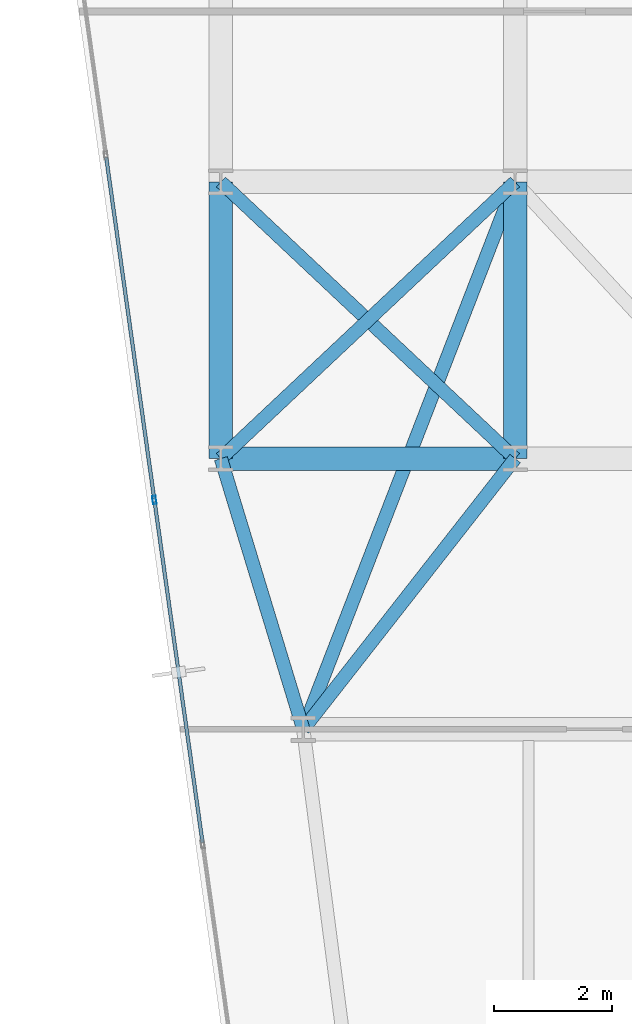
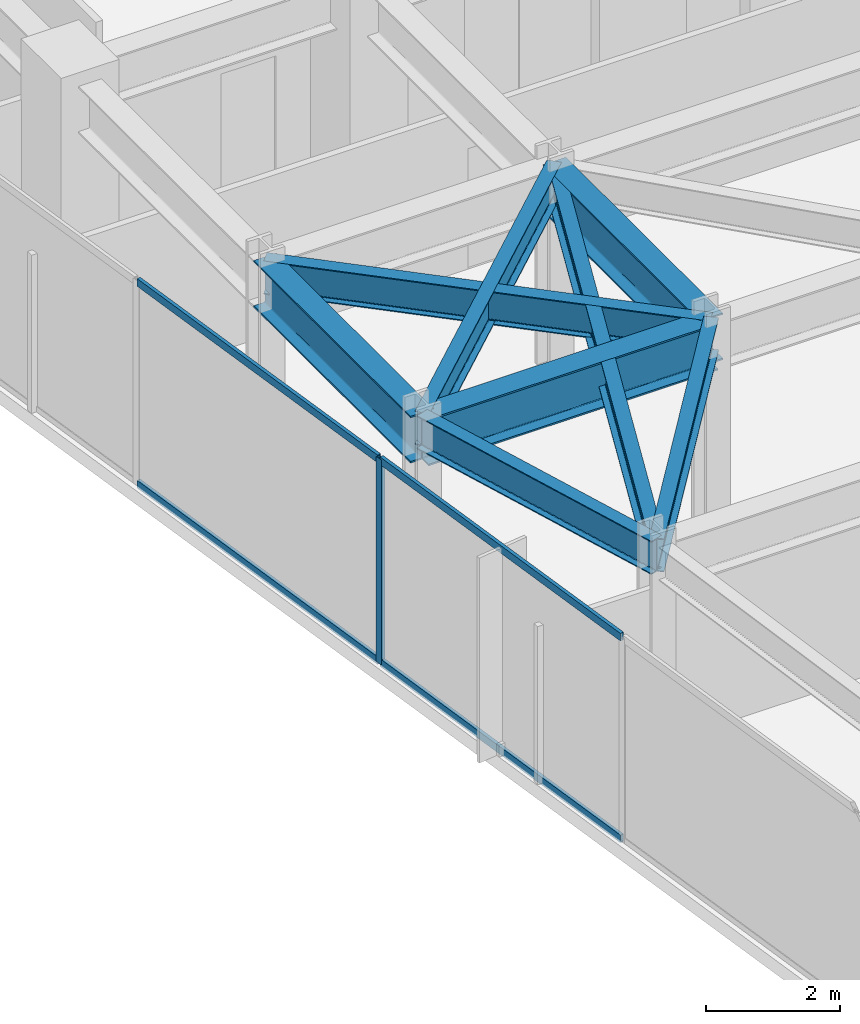
# One storey, part 9 of 26: 8 beams, 5 members, 1 element without a shape of its own.
"""IFC4 building model written with IfcOpenShell, lengths in metres."""

from ifc_helpers import new_model, si_unit, direction, frame, origin, origin_2d, place, context, subcontext, project, spatial, hollow_rectangle, i_section, extrude, material, layer, layer_set, material_profile, profile_set, type_object, element, aggregate, save


model = new_model("IFC4")

# Units and contexts
model_context = context("Model", 3, precision=1e-05, world=origin(), true_north=direction((0.0, 1.0)))
body_context = subcontext(model_context, "Body", "Model", "MODEL_VIEW")
ifc_project = project(units=[si_unit("LENGTHUNIT", "METRE"), si_unit("AREAUNIT", "SQUARE_METRE"), si_unit("VOLUMEUNIT", "CUBIC_METRE"), si_unit("PLANEANGLEUNIT", "RADIAN"), si_unit("MASSUNIT", "GRAM", prefix="KILO")], contexts=[model_context])

# Site, building, storey
site_placement = place(None, origin())
site = spatial("IfcSite", under=ifc_project, at=site_placement, CompositionType="ELEMENT")
building_placement = place(site_placement, origin())
building = spatial("IfcBuilding", under=site, at=building_placement, Name="Kravanh Interchange Tower", CompositionType="ELEMENT")
storey_placement = place(building_placement, frame((0.0, 0.0, 148.0)))
storey = spatial("IfcBuildingStorey", under=building, at=storey_placement, Name="L35", CompositionType="ELEMENT", Elevation=148.0)

# Curtain wall, members
ifc_material_1 = material(Name="Anodised Bronze Aluminium", Category="aluminium")
ifc_layer = layer(ifc_material_1, 0.179931640625)
ifc_layer_set = layer_set([ifc_layer], Name="Unitised Curtain Wall System CW-Z2 Mid Office")
curtain_wall_type = type_object("IfcCurtainWallType", Name="Unitised Curtain Wall System CW-Z2 Mid Office", PredefinedType="NOTDEFINED", material=ifc_layer_set)
curtain_wall_placement = place(storey_placement, origin())
curtain_wall = element("IfcCurtainWall", 1, at=curtain_wall_placement, inside=storey, type_object=curtain_wall_type, Name="L35 Unitised Curtain Wall CW-L35-01", PredefinedType="NOTDEFINED")
ifc_material_2 = material(Name="Anodised Bronze Aluminium", Category="aluminium")
ifc_material_profile_1 = material_profile(ifc_material_2, hollow_rectangle(XDim=0.06005859375, YDim=0.139892578125, WallThickness=0.00390625, at=origin_2d()), Name="ALU60X140X4")
ifc_profile_set_1 = profile_set([ifc_material_profile_1], Name="Anodised Bronze Aluminium")
member_type_1 = type_object("IfcMemberType", Name="Curtain Wall Mullion ALU60X140X4 Bronze", PredefinedType="MULLION", material=ifc_profile_set_1)
member_1_placement = place(storey_placement, frame((12.469970703125, 26.095458984375, 0.0), z_axis=(0.0, 0.0, 1.0), x_axis=(-0.990268103846, -0.13917285118, 0.0)))
member_1 = element("IfcMember", 2, at=member_1_placement, type_object=member_type_1, Name="CW-Z2 mullion 4", PredefinedType="MULLION", context=body_context, shape_type="SweptSolid", body=[
    extrude(hollow_rectangle(XDim=0.06005859375, YDim=0.139892578125, WallThickness=0.00390625, at=origin_2d()), origin(), (0.0, 0.0, 1.0), 3.75),
])
ifc_material_3 = material(Name="Anodised Bronze Aluminium", Category="aluminium")
ifc_material_profile_2 = material_profile(ifc_material_3, hollow_rectangle(XDim=0.06005859375, YDim=0.139892578125, WallThickness=0.00390625, at=origin_2d()), Name="ALU60X140X4")
ifc_profile_set_2 = profile_set([ifc_material_profile_2], Name="Anodised Bronze Aluminium")
member_type_2 = type_object("IfcMemberType", Name="Curtain Wall Transom ALU60X140X4 Bronze", PredefinedType="USERDEFINED", material=ifc_profile_set_2)
member_2_placement = place(storey_placement, frame((13.288330078125, 20.27294921875, 0.030029296875), z_axis=(-0.13918896503, 0.990265839062, 0.0), x_axis=(-0.990265839062, -0.13918896503, 0.0)))
member_2 = element("IfcMember", 3, at=member_2_placement, type_object=member_type_2, Name="CW-Z2 transom 3.1", ObjectType="TRANSOM", PredefinedType="USERDEFINED", context=body_context, shape_type="SweptSolid", body=[
    extrude(hollow_rectangle(XDim=0.06005859375, YDim=0.139892578125, WallThickness=0.00390625, at=origin_2d()), origin(), (0.0, 0.0, 1.0), 5.849609375),
])
member_3_placement = place(storey_placement, frame((13.288330078125, 20.27294921875, 3.719970703125), z_axis=(-0.13918896503, 0.990265839062, 0.0), x_axis=(-0.990265839062, -0.13918896503, 0.0)))
member_3 = element("IfcMember", 4, at=member_3_placement, type_object=member_type_2, Name="CW-Z2 transom 3.2", ObjectType="TRANSOM", PredefinedType="USERDEFINED", context=body_context, shape_type="SweptSolid", body=[
    extrude(hollow_rectangle(XDim=0.06005859375, YDim=0.139892578125, WallThickness=0.00390625, at=origin_2d()), origin(), (0.0, 0.0, 1.0), 5.849609375),
])
member_4_placement = place(storey_placement, frame((12.4658203125, 26.125244140625, 0.030029296875), z_axis=(-0.13918896503, 0.990265839062, 0.0), x_axis=(-0.990265839062, -0.13918896503, 0.0)))
member_4 = element("IfcMember", 5, at=member_4_placement, type_object=member_type_2, Name="CW-Z2 transom 4.1", ObjectType="TRANSOM", PredefinedType="USERDEFINED", context=body_context, shape_type="SweptSolid", body=[
    extrude(hollow_rectangle(XDim=0.06005859375, YDim=0.139892578125, WallThickness=0.00390625, at=origin_2d()), origin(), (0.0, 0.0, 1.0), 5.849609375),
])
member_5_placement = place(storey_placement, frame((12.4658203125, 26.125244140625, 3.719970703125), z_axis=(-0.13918896503, 0.990265839062, 0.0), x_axis=(-0.990265839062, -0.13918896503, 0.0)))
member_5 = element("IfcMember", 6, at=member_5_placement, type_object=member_type_2, Name="CW-Z2 transom 4.2", ObjectType="TRANSOM", PredefinedType="USERDEFINED", context=body_context, shape_type="SweptSolid", body=[
    extrude(hollow_rectangle(XDim=0.06005859375, YDim=0.139892578125, WallThickness=0.00390625, at=origin_2d()), origin(), (0.0, 0.0, 1.0), 5.849609375),
])
aggregate(curtain_wall, [member_1, member_2, member_3, member_4, member_5])

# Beams
ifc_material_4 = material(Name="Structural Steel S355", Category="steel")
ifc_material_profile_3 = material_profile(ifc_material_4, i_section(OverallWidth=0.39990234375, OverallDepth=0.85595703125, WebThickness=0.018310546875, FlangeThickness=0.029296875, FilletRadius=0.02490234375, at=origin_2d()), Name="W33X201")
ifc_profile_set_3 = profile_set([ifc_material_profile_3], Name="Structural Steel S355")
beam_type_1 = type_object("IfcBeamType", Name="Floor Beam W33X201 Structural Steel S355", PredefinedType="BEAM", material=ifc_profile_set_3)
beam_1_placement = place(storey_placement, frame((13.60009765625, 26.800048828125, 3.322021484375), z_axis=(0.0, 1.0, 0.0), x_axis=(-1.0, 0.0, 0.0)))
element("IfcBeam", 7, at=beam_1_placement, inside=storey, type_object=beam_type_1, Name="L35 Primary Floor Girder 37", PredefinedType="BEAM", context=body_context, shape_type="SweptSolid", body=[
    extrude(i_section(OverallWidth=0.39990234375, OverallDepth=0.85595703125, WebThickness=0.018310546875, FlangeThickness=0.029296875, FilletRadius=0.02490234375, at=origin_2d()), origin(), (0.0, 0.0, 1.0), 4.699951171875),
])
beam_2_placement = place(storey_placement, frame((13.60009765625, 26.800048828125, 3.322021484375), z_axis=(1.0, 0.0, 0.0), x_axis=(0.0, 1.0, 0.0)))
element("IfcBeam", 8, at=beam_2_placement, inside=storey, type_object=beam_type_1, Name="L35 Primary Floor Girder 39", PredefinedType="BEAM", context=body_context, shape_type="SweptSolid", body=[
    extrude(i_section(OverallWidth=0.39990234375, OverallDepth=0.85595703125, WebThickness=0.018310546875, FlangeThickness=0.029296875, FilletRadius=0.02490234375, at=origin_2d()), origin(), (0.0, 0.0, 1.0), 5.0),
])
beam_3_placement = place(storey_placement, frame((18.60009765625, 26.800048828125, 3.322021484375), z_axis=(0.0, 1.0, 0.0), x_axis=(-1.0, 0.0, 0.0)))
element("IfcBeam", 9, at=beam_3_placement, inside=storey, type_object=beam_type_1, Name="L35 Primary Floor Girder 41", PredefinedType="BEAM", context=body_context, shape_type="SweptSolid", body=[
    extrude(i_section(OverallWidth=0.39990234375, OverallDepth=0.85595703125, WebThickness=0.018310546875, FlangeThickness=0.029296875, FilletRadius=0.02490234375, at=origin_2d()), origin(), (0.0, 0.0, 1.0), 4.699951171875),
])
ifc_material_5 = material(Name="Structural Steel S355", Category="steel")
ifc_material_profile_4 = material_profile(ifc_material_5, i_section(OverallWidth=0.22802734375, OverallDepth=0.60791015625, WebThickness=0.01123046875, FlangeThickness=0.017333984375, FilletRadius=0.02197265625, at=origin_2d()), Name="W24X76")
ifc_profile_set_4 = profile_set([ifc_material_profile_4], Name="Structural Steel S355")
beam_type_2 = type_object("IfcBeamType", Name="Floor Spandrel W24X76 Structural Steel S355", PredefinedType="SPANDREL", material=ifc_profile_set_4)
beam_4_placement = place(storey_placement, frame((13.60009765625, 26.800048828125, 3.446044921875), z_axis=(0.291137370727, -0.956681259023, 0.0), x_axis=(0.956681259023, 0.291137370727, 0.0)))
element("IfcBeam", 10, at=beam_4_placement, inside=storey, type_object=beam_type_2, Name="L35 Perimeter Spandrel 38", PredefinedType="SPANDREL", context=body_context, shape_type="SweptSolid", body=[
    extrude(i_section(OverallWidth=0.22802734375, OverallDepth=0.60791015625, WebThickness=0.01123046875, FlangeThickness=0.017333984375, FilletRadius=0.02197265625, at=origin_2d()), origin(), (0.0, 0.0, 1.0), 4.808349609375),
])
beam_5_placement = place(storey_placement, frame((13.60009765625, 26.800048828125, 3.446044921875), z_axis=(0.728631219862, 0.684906231131, 0.0), x_axis=(-0.684906231131, 0.728631219862, 0.0)))
element("IfcBeam", 11, at=beam_5_placement, inside=storey, type_object=beam_type_2, Name="L35 Perimeter Spandrel 40", PredefinedType="SPANDREL", context=body_context, shape_type="SweptSolid", body=[
    extrude(i_section(OverallWidth=0.22802734375, OverallDepth=0.60791015625, WebThickness=0.01123046875, FlangeThickness=0.017333984375, FilletRadius=0.02197265625, at=origin_2d()), origin(), (0.0, 0.0, 1.0), 6.862060546875),
])
beam_6_placement = place(storey_placement, frame((18.60009765625, 26.800048828125, 3.446044921875), z_axis=(-0.616310515553, -0.787503237085, 0.0), x_axis=(0.787503237085, -0.616310515553, 0.0)))
element("IfcBeam", 12, at=beam_6_placement, inside=storey, type_object=beam_type_2, Name="L35 Perimeter Spandrel 42", PredefinedType="SPANDREL", context=body_context, shape_type="SweptSolid", body=[
    extrude(i_section(OverallWidth=0.22802734375, OverallDepth=0.60791015625, WebThickness=0.01123046875, FlangeThickness=0.017333984375, FilletRadius=0.02197265625, at=origin_2d()), origin(), (0.0, 0.0, 1.0), 5.84130859375),
])
beam_7_placement = place(storey_placement, frame((18.60009765625, 26.800048828125, 3.446044921875), z_axis=(-0.728631219862, 0.684906231131, 0.0), x_axis=(-0.684906231131, -0.728631219862, 0.0)))
element("IfcBeam", 13, at=beam_7_placement, inside=storey, type_object=beam_type_2, Name="L35 Perimeter Spandrel 43", PredefinedType="SPANDREL", context=body_context, shape_type="SweptSolid", body=[
    extrude(i_section(OverallWidth=0.22802734375, OverallDepth=0.60791015625, WebThickness=0.01123046875, FlangeThickness=0.017333984375, FilletRadius=0.02197265625, at=origin_2d()), origin(), (0.0, 0.0, 1.0), 6.862060546875),
])
beam_8_placement = place(storey_placement, frame((18.60009765625, 31.5, 3.446044921875), z_axis=(-0.3610009706, -0.932565439648, 0.0), x_axis=(0.932565439648, -0.3610009706, 0.0)))
element("IfcBeam", 14, at=beam_8_placement, inside=storey, type_object=beam_type_2, Name="L35 Perimeter Spandrel 72", PredefinedType="SPANDREL", context=body_context, shape_type="SweptSolid", body=[
    extrude(i_section(OverallWidth=0.22802734375, OverallDepth=0.60791015625, WebThickness=0.01123046875, FlangeThickness=0.017333984375, FilletRadius=0.02197265625, at=origin_2d()), origin(), (0.0, 0.0, 1.0), 9.97265625),
])

save(model, "model.ifc")
